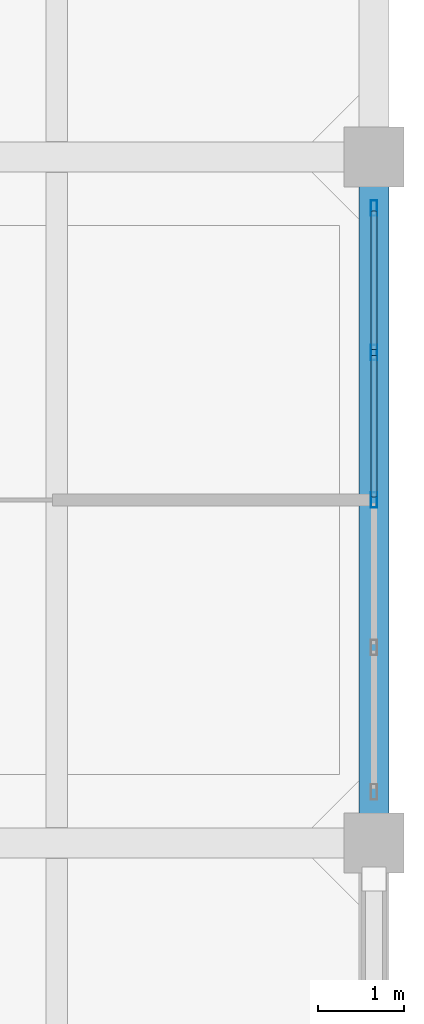
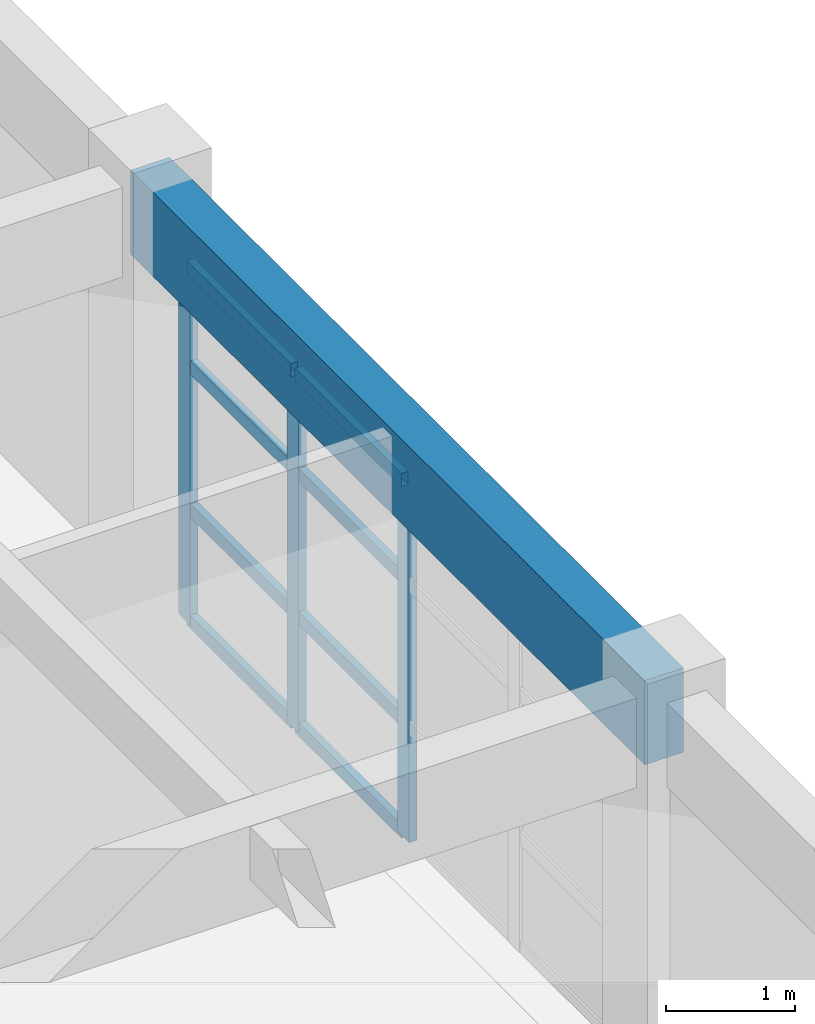
# One storey, part 11 of 25: 11 members, 1 beam, 1 element without a shape of its own.
"""IFC4 building model written with IfcOpenShell, lengths in metres."""

from ifc_helpers import new_model, si_unit, direction, frame, origin, origin_2d, place, context, subcontext, project, spatial, rectangle, hollow_rectangle, extrude, material, layer, layer_set, material_profile, profile_set, type_object, element, aggregate, save


model = new_model("IFC4")

# Units and contexts
model_context = context("Model", 3, precision=1e-05, world=origin(), true_north=direction((0.0, 1.0)))
body_context = subcontext(model_context, "Body", "Model", "MODEL_VIEW")
ifc_project = project(units=[si_unit("LENGTHUNIT", "METRE"), si_unit("AREAUNIT", "SQUARE_METRE"), si_unit("VOLUMEUNIT", "CUBIC_METRE"), si_unit("PLANEANGLEUNIT", "RADIAN"), si_unit("MASSUNIT", "GRAM", prefix="KILO")], contexts=[model_context])

# Site, building, storey
site_placement = place(None, origin())
site = spatial("IfcSite", under=ifc_project, at=site_placement, CompositionType="ELEMENT")
building_placement = place(site_placement, origin())
building = spatial("IfcBuilding", under=site, at=building_placement, Name="Canggui Botanical Conservatory", CompositionType="ELEMENT")
storey_placement = place(building_placement, frame((0.0, 0.0, 40.199951171875)))
storey = spatial("IfcBuildingStorey", under=building, at=storey_placement, Name="L10", CompositionType="ELEMENT", Elevation=40.199951171875)

# Beam
ifc_material_1 = material(Name="Concrete C35", Category="concrete")
ifc_material_profile_1 = material_profile(ifc_material_1, rectangle(XDim=0.35009765625, YDim=0.800048828125, at=origin_2d()), Name="RB 350x800")
ifc_profile_set_1 = profile_set([ifc_material_profile_1], Name="Concrete C35")
beam_type = type_object("IfcBeamType", Name="BM-KL15", PredefinedType="BEAM", material=ifc_profile_set_1)
beam_placement = place(storey_placement, frame((177.39990234375, 50.0, 3.56005859375), z_axis=(0.0, 1.0, 0.0), x_axis=(-1.0, 0.0, 0.0)))
element("IfcBeam", 1, at=beam_placement, inside=storey, type_object=beam_type, Name="Frame Girder L10 X178-3", PredefinedType="BEAM", context=body_context, shape_type="SweptSolid", body=[
    extrude(rectangle(XDim=0.35009765625, YDim=0.800048828125, at=origin_2d()), origin(), (0.0, 0.0, 1.0), 8.0),
])

# Curtain wall, members
ifc_material_2 = material(Name="Thermally Broken Aluminium", Category="aluminium")
ifc_layer = layer(ifc_material_2, 0.179931640625, Name="Thermally Broken Aluminium", Category="aluminium")
ifc_layer_set = layer_set([ifc_layer], Name="Thermally Broken Aluminium")
curtain_wall_type = type_object("IfcCurtainWallType", Name="CW-UNIT-A", PredefinedType="USERDEFINED", material=ifc_layer_set)
curtain_wall_placement = place(storey_placement, origin())
curtain_wall = element("IfcCurtainWall", 2, at=curtain_wall_placement, inside=storey, type_object=curtain_wall_type, Name="Facade Curtain Wall CW-TWR-L10-16", ObjectType="UNITISED CURTAIN WALL", PredefinedType="USERDEFINED")
ifc_material_profile_2 = material_profile(ifc_material_2, hollow_rectangle(XDim=0.070068359375, YDim=0.179931640625, WallThickness=0.00390625, at=origin_2d()), Name="CWM 70x180x4")
ifc_profile_set_2 = profile_set([ifc_material_profile_2], Name="Thermally Broken Aluminium")
member_type_1 = type_object("IfcMemberType", Name="CWM-01", PredefinedType="MULLION", material=ifc_profile_set_2)
member_1_placement = place(storey_placement, frame((177.39990234375, 57.405029296875, 0.0), z_axis=(0.0, 0.0, 1.0), x_axis=(1.0, 0.0, 0.0)))
member_1 = element("IfcMember", 3, at=member_1_placement, type_object=member_type_1, Name="CW-01 mullion 1", PredefinedType="MULLION", context=body_context, shape_type="SweptSolid", body=[
    extrude(hollow_rectangle(XDim=0.070068359375, YDim=0.179931640625, WallThickness=0.00390625, at=origin_2d()), origin(), (0.0, 0.0, 1.0), 3.400146484375),
])
member_2_placement = place(storey_placement, frame((177.39990234375, 55.719970703125, 0.0), z_axis=(0.0, 0.0, 1.0), x_axis=(1.0, 0.0, 0.0)))
member_2 = element("IfcMember", 4, at=member_2_placement, type_object=member_type_1, Name="CW-01 mullion 2", PredefinedType="MULLION", context=body_context, shape_type="SweptSolid", body=[
    extrude(hollow_rectangle(XDim=0.070068359375, YDim=0.179931640625, WallThickness=0.00390625, at=origin_2d()), origin(), (0.0, 0.0, 1.0), 3.400146484375),
])
member_3_placement = place(storey_placement, frame((177.39990234375, 54.0, 0.0), z_axis=(0.0, 0.0, 1.0), x_axis=(1.0, 0.0, 0.0)))
member_3 = element("IfcMember", 5, at=member_3_placement, type_object=member_type_1, Name="CW-01 mullion 3", PredefinedType="MULLION", context=body_context, shape_type="SweptSolid", body=[
    extrude(hollow_rectangle(XDim=0.070068359375, YDim=0.179931640625, WallThickness=0.00390625, at=origin_2d()), origin(), (0.0, 0.0, 1.0), 3.400146484375),
])
ifc_material_profile_3 = material_profile(ifc_material_2, hollow_rectangle(XDim=0.06494140625, YDim=0.1298828125, WallThickness=0.00341796875, at=origin_2d()), Name="CWT 65x130x3.5")
ifc_profile_set_3 = profile_set([ifc_material_profile_3], Name="Thermally Broken Aluminium")
member_type_2 = type_object("IfcMemberType", Name="CWT-01", PredefinedType="USERDEFINED", material=ifc_profile_set_3)
member_4_placement = place(storey_placement, frame((177.39990234375, 57.3701171875, 0.032470703125), z_axis=(0.0, -1.0, 0.0), x_axis=(1.0, 0.0, 0.0)))
member_4 = element("IfcMember", 6, at=member_4_placement, type_object=member_type_2, Name="CW-01 transom 1.1", ObjectType="TRANSOM", PredefinedType="USERDEFINED", context=body_context, shape_type="SweptSolid", body=[
    extrude(hollow_rectangle(XDim=0.06494140625, YDim=0.1298828125, WallThickness=0.00341796875, at=origin_2d()), origin(), (0.0, 0.0, 1.0), 1.615234375),
])
member_5_placement = place(storey_placement, frame((177.39990234375, 57.3701171875, 1.088134765625), z_axis=(0.0, -1.0, 0.0), x_axis=(1.0, 0.0, 0.0)))
member_5 = element("IfcMember", 7, at=member_5_placement, type_object=member_type_2, Name="CW-01 transom 1.2", ObjectType="TRANSOM", PredefinedType="USERDEFINED", context=body_context, shape_type="SweptSolid", body=[
    extrude(hollow_rectangle(XDim=0.06494140625, YDim=0.1298828125, WallThickness=0.00341796875, at=origin_2d()), origin(), (0.0, 0.0, 1.0), 1.615234375),
])
member_6_placement = place(storey_placement, frame((177.39990234375, 57.3701171875, 2.447998046875), z_axis=(0.0, -1.0, 0.0), x_axis=(1.0, 0.0, 0.0)))
member_6 = element("IfcMember", 8, at=member_6_placement, type_object=member_type_2, Name="CW-01 transom 1.3", ObjectType="TRANSOM", PredefinedType="USERDEFINED", context=body_context, shape_type="SweptSolid", body=[
    extrude(hollow_rectangle(XDim=0.06494140625, YDim=0.1298828125, WallThickness=0.00341796875, at=origin_2d()), origin(), (0.0, 0.0, 1.0), 1.615234375),
])
member_7_placement = place(storey_placement, frame((177.39990234375, 57.3701171875, 3.367431640625), z_axis=(0.0, -1.0, 0.0), x_axis=(1.0, 0.0, 0.0)))
member_7 = element("IfcMember", 9, at=member_7_placement, type_object=member_type_2, Name="CW-01 transom 1.4", ObjectType="TRANSOM", PredefinedType="USERDEFINED", context=body_context, shape_type="SweptSolid", body=[
    extrude(hollow_rectangle(XDim=0.06494140625, YDim=0.1298828125, WallThickness=0.00341796875, at=origin_2d()), origin(), (0.0, 0.0, 1.0), 1.615234375),
])
member_8_placement = place(storey_placement, frame((177.39990234375, 55.68505859375, 0.032470703125), z_axis=(0.0, -1.0, 0.0), x_axis=(1.0, 0.0, 0.0)))
member_8 = element("IfcMember", 10, at=member_8_placement, type_object=member_type_2, Name="CW-01 transom 2.1", ObjectType="TRANSOM", PredefinedType="USERDEFINED", context=body_context, shape_type="SweptSolid", body=[
    extrude(hollow_rectangle(XDim=0.06494140625, YDim=0.1298828125, WallThickness=0.00341796875, at=origin_2d()), origin(), (0.0, 0.0, 1.0), 1.650146484375),
])
member_9_placement = place(storey_placement, frame((177.39990234375, 55.68505859375, 1.088134765625), z_axis=(0.0, -1.0, 0.0), x_axis=(1.0, 0.0, 0.0)))
member_9 = element("IfcMember", 11, at=member_9_placement, type_object=member_type_2, Name="CW-01 transom 2.2", ObjectType="TRANSOM", PredefinedType="USERDEFINED", context=body_context, shape_type="SweptSolid", body=[
    extrude(hollow_rectangle(XDim=0.06494140625, YDim=0.1298828125, WallThickness=0.00341796875, at=origin_2d()), origin(), (0.0, 0.0, 1.0), 1.650146484375),
])
member_10_placement = place(storey_placement, frame((177.39990234375, 55.68505859375, 2.447998046875), z_axis=(0.0, -1.0, 0.0), x_axis=(1.0, 0.0, 0.0)))
member_10 = element("IfcMember", 12, at=member_10_placement, type_object=member_type_2, Name="CW-01 transom 2.3", ObjectType="TRANSOM", PredefinedType="USERDEFINED", context=body_context, shape_type="SweptSolid", body=[
    extrude(hollow_rectangle(XDim=0.06494140625, YDim=0.1298828125, WallThickness=0.00341796875, at=origin_2d()), origin(), (0.0, 0.0, 1.0), 1.650146484375),
])
member_11_placement = place(storey_placement, frame((177.39990234375, 55.68505859375, 3.367431640625), z_axis=(0.0, -1.0, 0.0), x_axis=(1.0, 0.0, 0.0)))
member_11 = element("IfcMember", 13, at=member_11_placement, type_object=member_type_2, Name="CW-01 transom 2.4", ObjectType="TRANSOM", PredefinedType="USERDEFINED", context=body_context, shape_type="SweptSolid", body=[
    extrude(hollow_rectangle(XDim=0.06494140625, YDim=0.1298828125, WallThickness=0.00341796875, at=origin_2d()), origin(), (0.0, 0.0, 1.0), 1.650146484375),
])
aggregate(curtain_wall, [member_1, member_2, member_3, member_4, member_5, member_6, member_7, member_8, member_9, member_10, member_11])

save(model, "model.ifc")
